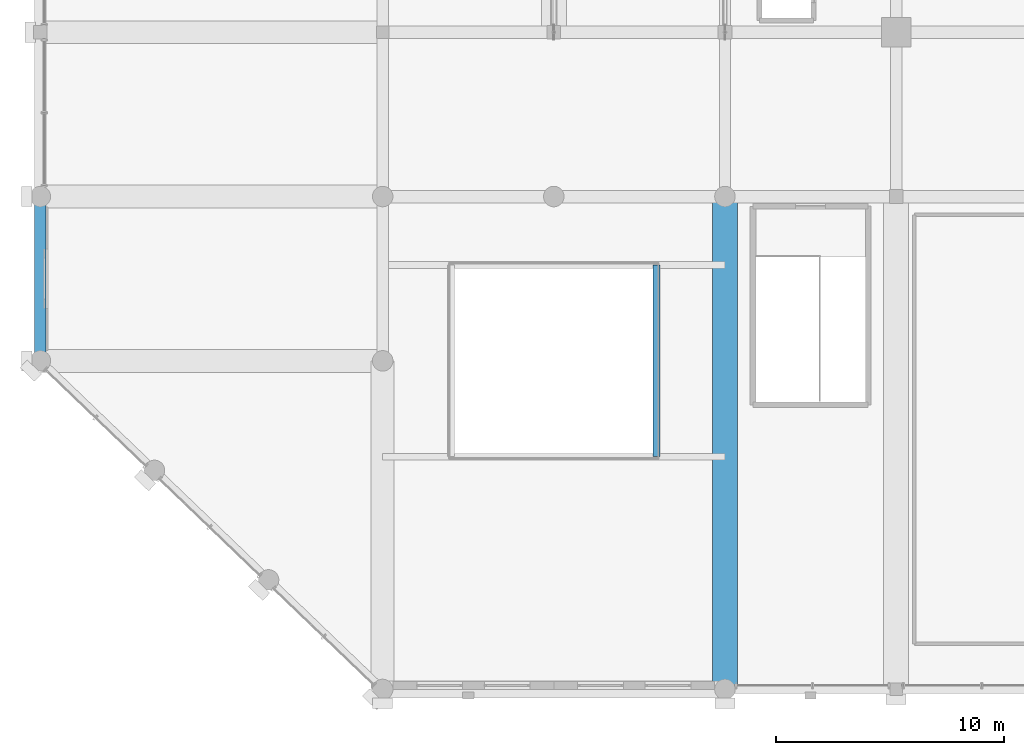
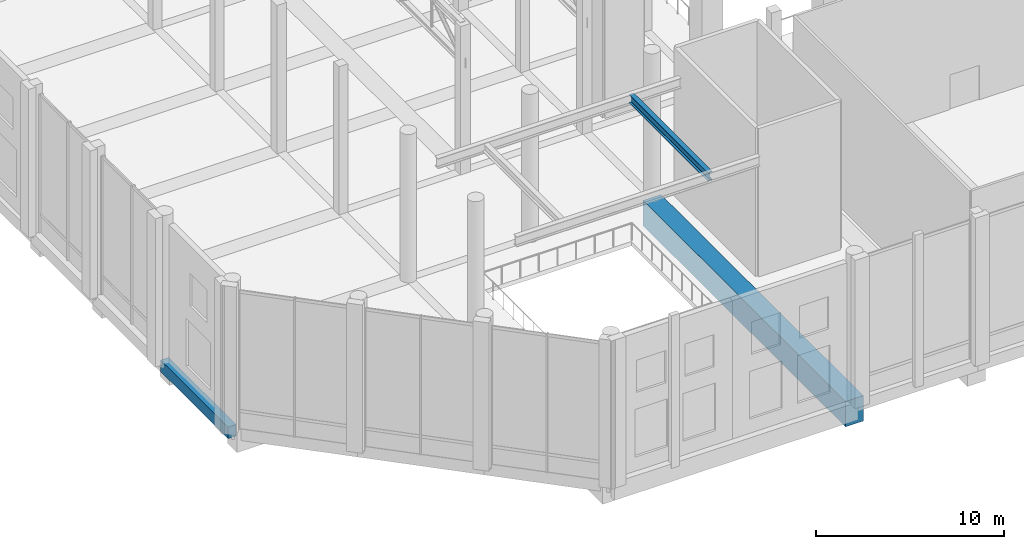
# One storey, part 11 of 80: 3 beams.
"""IFC4 building model written with IfcOpenShell, lengths in metres."""

from ifc_helpers import new_model, si_unit, direction, frame, origin, origin_2d, place, context, subcontext, project, spatial, rectangle, i_section, extrude, material, material_profile, profile_set, type_object, element, save


model = new_model("IFC4")

# Units and contexts
model_context = context("Model", 3, precision=1e-05, world=origin(), true_north=direction((0.0, 1.0)))
body_context = subcontext(model_context, "Body", "Model", "MODEL_VIEW")
ifc_project = project(units=[si_unit("LENGTHUNIT", "METRE"), si_unit("AREAUNIT", "SQUARE_METRE"), si_unit("VOLUMEUNIT", "CUBIC_METRE"), si_unit("PLANEANGLEUNIT", "RADIAN"), si_unit("MASSUNIT", "GRAM", prefix="KILO")], contexts=[model_context])

# Site, building, storey
site_placement = place(None, origin())
site = spatial("IfcSite", under=ifc_project, at=site_placement, CompositionType="ELEMENT")
building_placement = place(site_placement, origin())
building = spatial("IfcBuilding", under=site, at=building_placement, Name="Akrevak Sports Hall", CompositionType="ELEMENT")
storey_placement = place(building_placement, frame((0.0, 0.0, 14.0)))
storey = spatial("IfcBuildingStorey", under=building, at=storey_placement, Name="L03", CompositionType="ELEMENT", Elevation=14.0)

# Beams
ifc_material_1 = material(Name="Concrete C50/60", Category="concrete")
ifc_material_profile_1 = material_profile(ifc_material_1, rectangle(XDim=1.10009765625, YDim=1.64990234375, at=origin_2d()), Name="BM 1100x1650", Category="concrete")
ifc_profile_set_1 = profile_set([ifc_material_profile_1], Name="Concrete C50/60")
beam_type_1 = type_object("IfcBeamType", Name="STR-BM-LG1100x1650", PredefinedType="BEAM", material=ifc_profile_set_1)
beam_1_placement = place(storey_placement, frame((30.0, 0.0, -0.824951171875), z_axis=(0.0, 1.0, 0.0), x_axis=(-1.0, 0.0, 0.0)))
element("IfcBeam", 1, at=beam_1_placement, inside=storey, type_object=beam_type_1, Name="Girder 5/A-D (L03)", PredefinedType="BEAM", context=body_context, shape_type="SweptSolid", body=[
    extrude(rectangle(XDim=1.10009765625, YDim=1.64990234375, at=origin_2d()), origin(), (0.0, 0.0, 1.0), 21.60009765625),
])
ifc_material_2 = material(Name="Concrete C40/50", Category="concrete")
ifc_material_profile_2 = material_profile(ifc_material_2, rectangle(XDim=0.5, YDim=0.75, at=origin_2d()), Name="BM 500x750", Category="concrete")
ifc_profile_set_2 = profile_set([ifc_material_profile_2], Name="Concrete C40/50")
beam_type_2 = type_object("IfcBeamType", Name="STR-BM-RC500x750", PredefinedType="BEAM", material=ifc_profile_set_2)
beam_2_placement = place(storey_placement, frame((0.0, 14.39990234375, -0.375), z_axis=(0.0, 1.0, 0.0), x_axis=(-1.0, 0.0, 0.0)))
element("IfcBeam", 2, at=beam_2_placement, inside=storey, type_object=beam_type_2, Name="Girder 1/C-D (L03)", PredefinedType="BEAM", context=body_context, shape_type="SweptSolid", body=[
    extrude(rectangle(XDim=0.5, YDim=0.75, at=origin_2d()), origin(), (0.0, 0.0, 1.0), 7.2001953125),
])
ifc_material_3 = material(Name="Steel S355", Category="steel")
ifc_material_profile_3 = material_profile(ifc_material_3, i_section(OverallWidth=0.300048828125, OverallDepth=0.550048828125, WebThickness=0.014892578125, FlangeThickness=0.029052734375, FilletRadius=0.027099609375, at=origin_2d()), Name="HEB 550", Category="steel")
ifc_profile_set_3 = profile_set([ifc_material_profile_3], Name="Steel S355")
beam_type_3 = type_object("IfcBeamType", Name="STR-BM-STL-HEB550", PredefinedType="BEAM", material=ifc_profile_set_3)
beam_3_placement = place(storey_placement, frame((27.0, 10.199951171875, 9.35009765625), z_axis=(0.0, 1.0, 0.0), x_axis=(-1.0, 0.0, 0.0)))
element("IfcBeam", 3, at=beam_3_placement, inside=storey, type_object=beam_type_3, Name="Rotunda Oculus East Steel Trimmer", PredefinedType="BEAM", context=body_context, shape_type="SweptSolid", body=[
    extrude(i_section(OverallWidth=0.300048828125, OverallDepth=0.550048828125, WebThickness=0.014892578125, FlangeThickness=0.029052734375, FilletRadius=0.027099609375, at=origin_2d()), origin(), (0.0, 0.0, 1.0), 8.400146484375),
])

save(model, "model.ifc")
